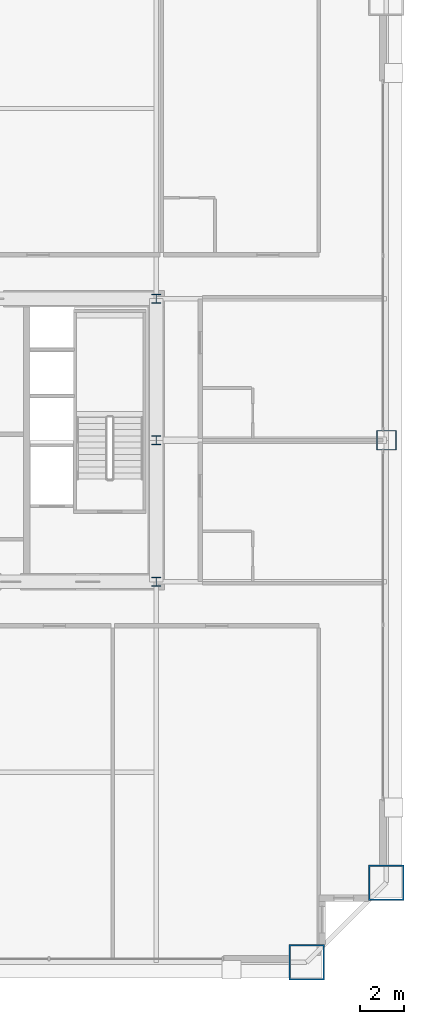
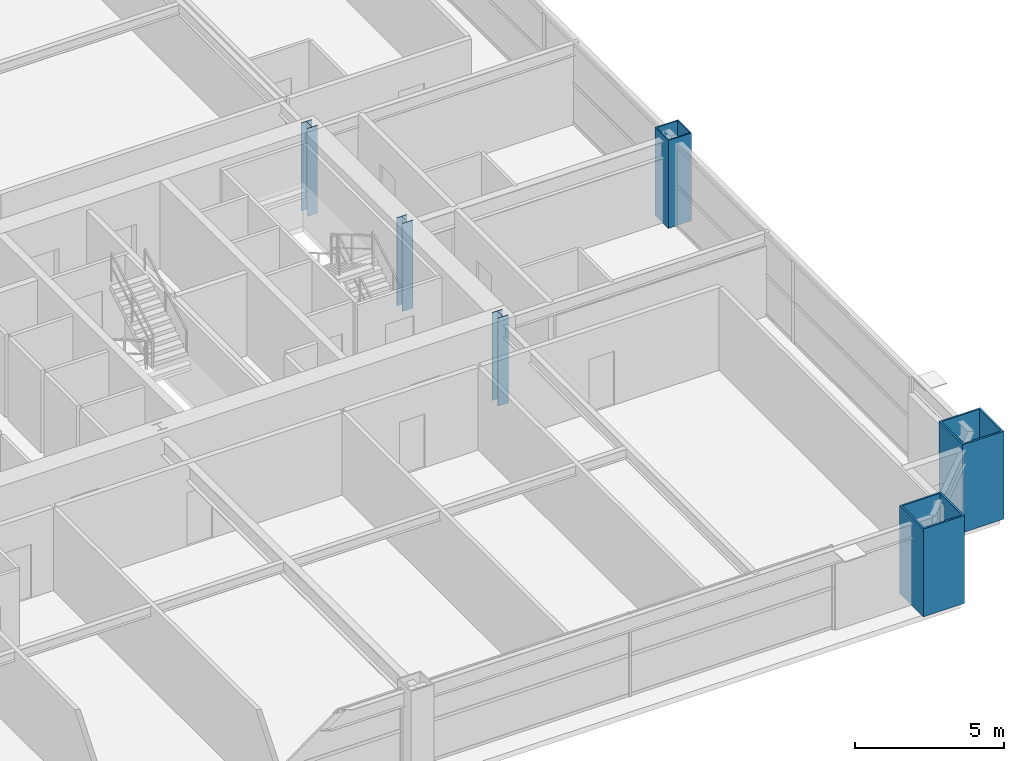
# One storey, part 2 of 39: 6 columns.
"""IFC4 building model written with IfcOpenShell, lengths in metres."""

import ifcopenshell
import ifcopenshell.guid

model = None  # the IFC model being written
_history = None  # IfcOwnerHistory: only IFC2X3 demands one
_inside = {}  # id of a spatial element -> (the spatial element, [elements in it])
_under = {}  # id of a project, library or spatial element -> (it, [spatial elements below it])
_declared = {}  # id of a project -> (the project, [libraries it declares])
_typed = {}  # id of a type object -> (the type object, [elements of that type])
_made_of = {}  # id of a material, layer set ... -> (it, [elements and type objects made of it])


def new_model(schema):
    """Start an empty IFC model of exactly this schema.

    Asked for "IFC4X3", IfcOpenShell would pick the latest addendum, in which some entities
    have other attributes; the version numbers below select the first issue.
    IFC2X3 requires an IfcOwnerHistory on every rooted entity: one is made here for all.
    """
    global model, _history
    if schema == "IFC4X3":
        model = ifcopenshell.file(schema_version=(4, 3, 0, 0))
    else:
        model = ifcopenshell.file(schema=schema)
    _inside.clear()
    _under.clear()
    _declared.clear()
    _typed.clear()
    _made_of.clear()
    _history = None
    if model.schema == "IFC2X3":
        org = make("IfcOrganization", Name="unknown")
        user = make(
            "IfcPersonAndOrganization",
            ThePerson=make("IfcPerson", FamilyName="unknown"),
            TheOrganization=org,
        )
        app = make(
            "IfcApplication",
            ApplicationDeveloper=org,
            Version="unknown",
            ApplicationFullName="unknown",
            ApplicationIdentifier="unknown",
        )
        _history = make(
            "IfcOwnerHistory",
            OwningUser=user,
            OwningApplication=app,
            ChangeAction="ADDED",
            CreationDate=0,
        )
    return model


def make(cls, **values):
    """One entity of the class cls with the attributes given. An attribute that is None is left unset."""
    return model.create_entity(
        cls, **{name: value for name, value in values.items() if value is not None}
    )


def rooted(cls, **values):
    """An entity with a GlobalId (a new one), such as an element, a storey or a relation."""
    return make(cls, GlobalId=ifcopenshell.guid.new(), OwnerHistory=_history, **values)


def si_unit(unit_type, name, prefix=None):
    """IfcSIUnit, for example si_unit("LENGTHUNIT", "METRE", prefix="MILLI")."""
    return make("IfcSIUnit", UnitType=unit_type, Prefix=prefix, Name=name)


def assignment(units):
    """IfcUnitAssignment: the units of a project."""
    return None if units is None else make("IfcUnitAssignment", Units=units)


def point(xyz):
    """IfcCartesianPoint."""
    return None if xyz is None else make("IfcCartesianPoint", Coordinates=xyz)


def direction(xyz):
    """IfcDirection."""
    return None if xyz is None else make("IfcDirection", DirectionRatios=xyz)


def frame(location, z_axis=None, x_axis=None):
    """IfcAxis2Placement3D, a coordinate frame: its origin and axes. An axis left out is left unset."""
    return make(
        "IfcAxis2Placement3D",
        Location=point(location),
        Axis=direction(z_axis),
        RefDirection=direction(x_axis),
    )


def frame_2d(location, x_axis=None):
    """IfcAxis2Placement2D, a coordinate frame in the plane: its origin and x axis."""
    return make(
        "IfcAxis2Placement2D", Location=point(location), RefDirection=direction(x_axis)
    )


def origin():
    """The frame at (0, 0, 0) with its axes left unset."""
    return frame((0.0, 0.0, 0.0))


def origin_2d():
    """The frame at (0, 0) in the plane with its x axis left unset."""
    return frame_2d((0.0, 0.0))


def place(relative_to, where):
    """IfcLocalPlacement: puts the frame where relative to a parent placement (None: the world)."""
    return make(
        "IfcLocalPlacement", PlacementRelTo=relative_to, RelativePlacement=where
    )


def context(
    kind, dimensions, precision=None, world=None, true_north=None, identifier=None
):
    """IfcGeometricRepresentationContext, for example the 3D "Model" context."""
    return make(
        "IfcGeometricRepresentationContext",
        ContextIdentifier=identifier,
        ContextType=kind,
        CoordinateSpaceDimension=dimensions,
        Precision=precision,
        WorldCoordinateSystem=world,
        TrueNorth=true_north,
    )


def subcontext(parent, identifier, kind, view, scale=None):
    """IfcGeometricRepresentationSubContext, for example "Body" below "Model"."""
    return make(
        "IfcGeometricRepresentationSubContext",
        ContextIdentifier=identifier,
        ContextType=kind,
        ParentContext=parent,
        TargetScale=scale,
        TargetView=view,
    )


def project(units=None, contexts=None):
    """IfcProject with its units and contexts."""
    return rooted(
        "IfcProject",
        Name="project",
        RepresentationContexts=contexts,
        UnitsInContext=assignment(units),
    )


def spatial(cls, under=None, at=None, **own):
    """A site, building, storey or space (cls), placed at a placement, below another one or the project."""
    s = rooted(cls, ObjectPlacement=at, **own)
    if under is not None:
        _under.setdefault(under.id(), (under, []))[1].append(s)
    return s


def profile(cls, at=None, kind="AREA", **sizes):
    """A parametric profile (cls). Its sizes go by their IFC names, for example OverallWidth=200.0."""
    return make(cls, ProfileType=kind, Position=at, **sizes)


def hollow_rectangle(**sizes):
    """IfcRectangleHollowProfileDef."""
    return profile("IfcRectangleHollowProfileDef", **sizes)


def i_section(**sizes):
    """IfcIShapeProfileDef."""
    return profile("IfcIShapeProfileDef", **sizes)


def extrude(swept, where, along, depth):
    """IfcExtrudedAreaSolid: the profile swept, set in the frame where, extruded along a direction by depth."""
    return make(
        "IfcExtrudedAreaSolid",
        SweptArea=swept,
        Position=where,
        ExtrudedDirection=direction(along),
        Depth=depth,
    )


def shape(context_of_items, identifier, shape_type, items):
    """IfcShapeRepresentation: the items that make up one representation, for example the "Body"."""
    return make(
        "IfcShapeRepresentation",
        ContextOfItems=context_of_items,
        RepresentationIdentifier=identifier,
        RepresentationType=shape_type,
        Items=items,
    )


def source(mapping_origin, context_of_items, identifier, shape_type, items):
    """IfcRepresentationMap: a shape defined once, which mapped items show again and again."""
    return make(
        "IfcRepresentationMap",
        MappingOrigin=mapping_origin,
        MappedRepresentation=shape(context_of_items, identifier, shape_type, items),
    )


def transform(
    local_origin,
    x_axis=None,
    y_axis=None,
    z_axis=None,
    scale=None,
    scale2=None,
    scale3=None,
    uniform=True,
):
    """IfcCartesianTransformationOperator3D, or its non-uniform kind. x_axis, y_axis, z_axis: its Axis1, 2, 3."""
    if uniform:
        return make(
            "IfcCartesianTransformationOperator3D",
            Axis1=direction(x_axis),
            Axis2=direction(y_axis),
            LocalOrigin=point(local_origin),
            Scale=scale,
            Axis3=direction(z_axis),
        )
    return make(
        "IfcCartesianTransformationOperator3DnonUniform",
        Axis1=direction(x_axis),
        Axis2=direction(y_axis),
        LocalOrigin=point(local_origin),
        Scale=scale,
        Axis3=direction(z_axis),
        Scale2=scale2,
        Scale3=scale3,
    )


def mapped(mapping_source, mapping_target):
    """IfcMappedItem: shows the shape of a source again, moved by a transform."""
    return make(
        "IfcMappedItem", MappingSource=mapping_source, MappingTarget=mapping_target
    )


def material(Name=None, Category=None):
    """IfcMaterial."""
    return make("IfcMaterial", Name=Name, Category=Category)


def material_profile(
    of_material, cross_section, Name=None, Category=None, Priority=None
):
    """IfcMaterialProfile: a cross section and its material."""
    return make(
        "IfcMaterialProfile",
        Name=Name,
        Material=of_material,
        Profile=cross_section,
        Priority=Priority,
        Category=Category,
    )


def profile_set(profiles, Name=None, composite=None):
    """IfcMaterialProfileSet."""
    return make(
        "IfcMaterialProfileSet",
        Name=Name,
        MaterialProfiles=profiles,
        CompositeProfile=composite,
    )


def made_of(thing, what):
    """Note that an element or type object is made of a material, layer set ...; save() writes the relation."""
    if what is not None:
        _made_of.setdefault(what.id(), (what, []))[1].append(thing)
    return thing


def type_object(cls, material=None, **own):
    """A type object (cls), such as IfcWallType, which elements share."""
    return made_of(rooted(cls, **own), material)


def element(
    cls,
    number,
    at=None,
    inside=None,
    cuts=None,
    type_object=None,
    material=None,
    context=None,
    identifier="Body",
    shape_type=None,
    held_by="IfcProductDefinitionShape",
    body=None,
    shapes=None,
    **own,
):
    """One element of the class cls, such as IfcWall. Its Tag is "e" and its number.

    at: its placement. inside: the storey or other place that contains it. cuts: it is an
    opening in that element (IfcRelVoidsElement). A single representation is given by context,
    identifier, shape_type and body (its items); several are given by shapes. held_by: the class
    of the entity that holds the representations. save() writes the other relations.
    """
    e = rooted(cls, Tag="e%d" % number, ObjectPlacement=at, **own)
    if body is not None:
        shapes = [shape(context, identifier, shape_type, body)]
    if shapes is not None:
        e.Representation = make(held_by, Representations=shapes)
    if inside is not None:
        _inside.setdefault(inside.id(), (inside, []))[1].append(e)
    if cuts is not None:
        rooted(
            "IfcRelVoidsElement", RelatingBuildingElement=cuts, RelatedOpeningElement=e
        )
    if type_object is not None:
        _typed.setdefault(type_object.id(), (type_object, []))[1].append(e)
    return made_of(e, material)


def aggregate(whole, parts):
    """IfcRelAggregates: a whole, such as a stair, and the parts it consists of."""
    return rooted("IfcRelAggregates", RelatingObject=whole, RelatedObjects=parts)


def save(model, path):
    """Write the relations noted so far, then the file.

    IfcRelAggregates (storeys below a building ...), IfcRelContainedInSpatialStructure (elements
    in a storey), IfcRelDefinesByType, IfcRelAssociatesMaterial and IfcRelDeclares: one each for
    every whole, place, type object, material and project.
    """
    for whole, parts in _under.values():
        aggregate(whole, parts)
    for where, things in _inside.values():
        rooted(
            "IfcRelContainedInSpatialStructure",
            RelatedElements=things,
            RelatingStructure=where,
        )
    for kind, things in _typed.values():
        rooted("IfcRelDefinesByType", RelatedObjects=things, RelatingType=kind)
    for what, things in _made_of.values():
        rooted("IfcRelAssociatesMaterial", RelatedObjects=things, RelatingMaterial=what)
    for by, libraries in _declared.values():
        rooted("IfcRelDeclares", RelatingContext=by, RelatedDefinitions=libraries)
    model.write(path)


model = new_model("IFC4")

# Units and contexts
model_context = context("Model", 3, precision=1e-05, world=origin(), true_north=direction((0.0, 1.0)))
body_context = subcontext(model_context, "Body", "Model", "MODEL_VIEW")
ifc_project = project(units=[si_unit("LENGTHUNIT", "METRE"), si_unit("AREAUNIT", "SQUARE_METRE"), si_unit("VOLUMEUNIT", "CUBIC_METRE"), si_unit("PLANEANGLEUNIT", "RADIAN"), si_unit("MASSUNIT", "GRAM", prefix="KILO"), si_unit("THERMODYNAMICTEMPERATUREUNIT", "KELVIN"), si_unit("POWERUNIT", "WATT")], contexts=[model_context])

# Site, building, storey
site_placement = place(None, origin())
site = spatial("IfcSite", under=ifc_project, at=site_placement, CompositionType="ELEMENT")
building_placement = place(site_placement, origin())
building = spatial("IfcBuilding", under=site, at=building_placement, Name="Yuzanri Waterfront Tower", CompositionType="ELEMENT")
storey_placement = place(building_placement, frame((0.0, 0.0, 141.60009765625)))
storey = spatial("IfcBuildingStorey", under=building, at=storey_placement, Name="L37", CompositionType="ELEMENT", Elevation=141.60009765625)

# Columns
ifc_material_1 = material(Name="Steel Q390GJC", Category="steel")
ifc_material_profile_1 = material_profile(ifc_material_1, hollow_rectangle(XDim=0.89990234375, YDim=0.89990234375, WallThickness=0.0419921875, at=origin_2d()), Name="RHS 900x900x42")
ifc_profile_set_1 = profile_set([ifc_material_profile_1], Name="Steel Q390GJC")
column_type_1 = type_object("IfcColumnType", Name="Frame Column Q390GJC RHS 900x900x42", PredefinedType="COLUMN", material=ifc_profile_set_1)
shared_shape_1 = source(origin(), body_context, "Body", "SweptSolid", [
    extrude(hollow_rectangle(XDim=0.89990234375, YDim=0.89990234375, WallThickness=0.0419921875, at=origin_2d()), origin(), (0.0, 0.0, 1.0), 3.599853515625),
])
column_placement = place(storey_placement, frame((60.60009765625, 25.800048828125, 0.0), z_axis=(0.0, 0.0, 1.0), x_axis=(1.0, 0.0, 0.0)))
element("IfcColumn", 1, at=column_placement, inside=storey, type_object=column_type_1, Name="L37 Perimeter Frame Column E2", PredefinedType="COLUMN", context=body_context, shape_type="MappedRepresentation", body=[
    mapped(shared_shape_1, transform((0.0, 0.0, 0.0), scale=1.0)),
])
ifc_material_2 = material(Name="Steel Q420GJC", Category="steel")
ifc_material_profile_2 = material_profile(ifc_material_2, hollow_rectangle(XDim=1.60009765625, YDim=1.60009765625, WallThickness=0.070068359375, at=origin_2d()), Name="RHS 1600x1600x70")
ifc_profile_set_2 = profile_set([ifc_material_profile_2], Name="Steel Q420GJC")
column_type_2 = type_object("IfcColumnType", Name="Mega Column Q420GJC RHS 1600x1600x70", PredefinedType="COLUMN", material=ifc_profile_set_2)
shared_shape_2 = source(origin(), body_context, "Body", "SweptSolid", [
    extrude(hollow_rectangle(XDim=1.60009765625, YDim=1.60009765625, WallThickness=0.070068359375, at=origin_2d()), origin(), (0.0, 0.0, 1.0), 3.599853515625),
])
for number, where, z_axis, x_axis, name in (
    (2, (57.0, 2.199951171875, 0.0), (0.0, 0.0, 1.0), (1.0, 0.0, 0.0), "L37 Perimeter Mega Column S3"),
    (3, (60.60009765625, 5.800048828125, 0.0), (0.0, 0.0, 1.0), (1.0, 0.0, 0.0), "L37 Perimeter Mega Column E1"),
):
    element("IfcColumn", number, at=place(storey_placement, frame(where, z_axis=z_axis, x_axis=x_axis)), inside=storey, type_object=column_type_2, Name=name, PredefinedType="COLUMN", context=body_context, shape_type="MappedRepresentation", body=[
        mapped(shared_shape_2, transform((0.0, 0.0, 0.0), scale=1.0)),
    ])
ifc_material_3 = material(Name="Steel Q355B", Category="steel")
ifc_material_profile_3 = material_profile(ifc_material_3, i_section(OverallWidth=0.39990234375, OverallDepth=0.39990234375, WebThickness=0.012939453125, FlangeThickness=0.02099609375, at=origin_2d()), Name="HW 400x400x13x21")
ifc_profile_set_3 = profile_set([ifc_material_profile_3], Name="Steel Q355B")
column_type_3 = type_object("IfcColumnType", Name="Core Post Q355B HW 400x400x13x21", PredefinedType="COLUMN", material=ifc_profile_set_3)
shared_shape_3 = source(origin(), body_context, "Body", "SweptSolid", [
    extrude(i_section(OverallWidth=0.39990234375, OverallDepth=0.39990234375, WebThickness=0.012939453125, FlangeThickness=0.02099609375, at=origin_2d()), origin(), (0.0, 0.0, 1.0), 3.599853515625),
])
for number, where, z_axis, x_axis, name in (
    (4, (50.199951171875, 19.39990234375, 0.0), (0.0, 0.0, 1.0), (1.0, 0.0, 0.0), "L37 Core Boundary Column CP3"),
    (5, (50.199951171875, 25.800048828125, 0.0), (0.0, 0.0, 1.0), (1.0, 0.0, 0.0), "L37 Core Boundary Column CP5"),
    (6, (50.199951171875, 32.199951171875, 0.0), (0.0, 0.0, 1.0), (1.0, 0.0, 0.0), "L37 Core Boundary Column CP8"),
):
    element("IfcColumn", number, at=place(storey_placement, frame(where, z_axis=z_axis, x_axis=x_axis)), inside=storey, type_object=column_type_3, Name=name, PredefinedType="COLUMN", context=body_context, shape_type="MappedRepresentation", body=[
        mapped(shared_shape_3, transform((0.0, 0.0, 0.0), scale=1.0)),
    ])

save(model, "model.ifc")
